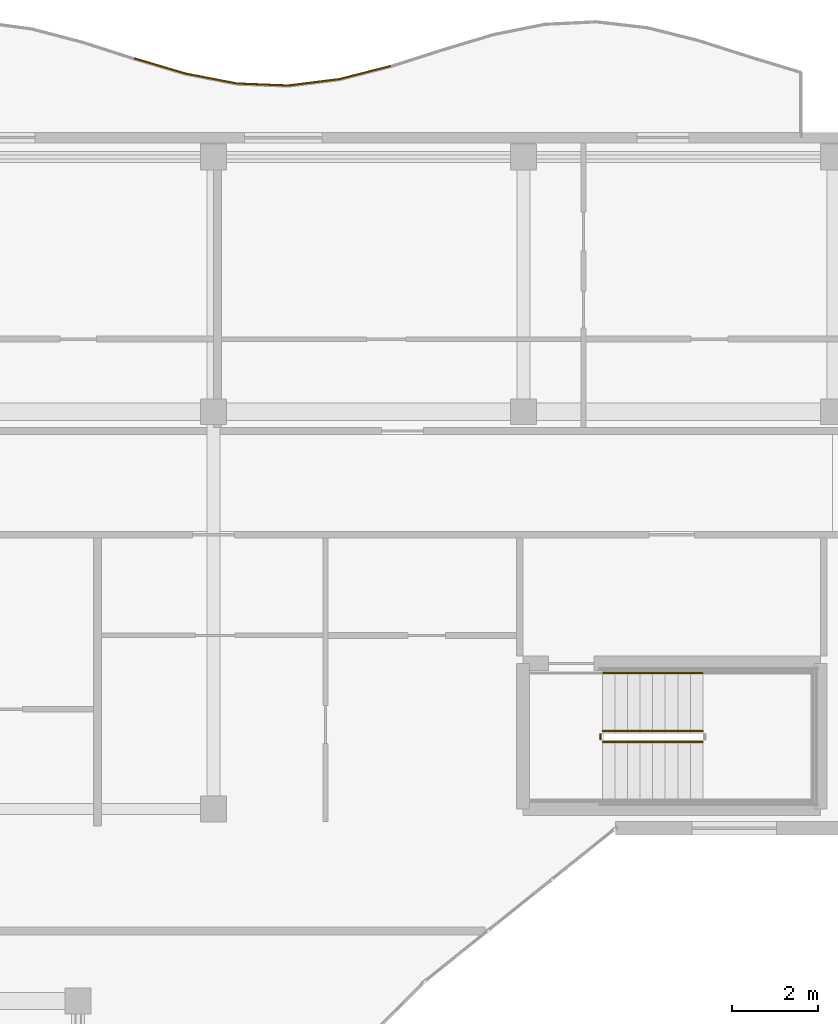
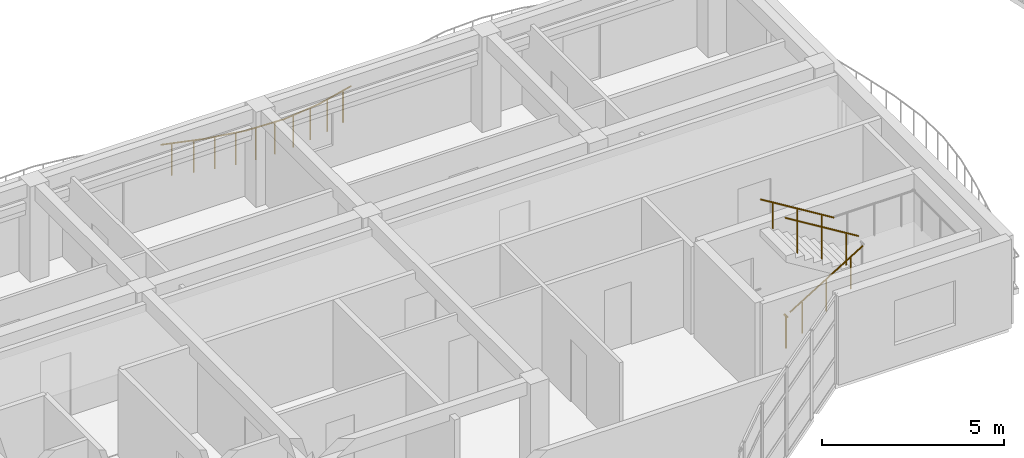
# One storey, part 64 of 72: 9 railings.
"""IFC4 building model written with IfcOpenShell, lengths in metres."""

from ifc_helpers import new_model, si_unit, direction, frame, origin, origin_2d, place, context, subcontext, project, spatial, circle, extrude, material, type_object, element, save


model = new_model("IFC4")

# Units and contexts
model_context = context("Model", 3, precision=1e-05, world=origin(), true_north=direction((0.0, 1.0)))
body_context = subcontext(model_context, "Body", "Model", "MODEL_VIEW")
ifc_project = project(units=[si_unit("LENGTHUNIT", "METRE"), si_unit("AREAUNIT", "SQUARE_METRE"), si_unit("VOLUMEUNIT", "CUBIC_METRE"), si_unit("PLANEANGLEUNIT", "RADIAN"), si_unit("MASSUNIT", "GRAM", prefix="KILO")], contexts=[model_context])

# Site, building, storey
site_placement = place(None, origin())
site = spatial("IfcSite", under=ifc_project, at=site_placement, CompositionType="ELEMENT")
building_placement = place(site_placement, origin())
building = spatial("IfcBuilding", under=site, at=building_placement, Name="Keldmere Railside Commons", CompositionType="ELEMENT")
storey_placement = place(building_placement, frame((0.0, 0.0, 16.9599609375)))
storey = spatial("IfcBuildingStorey", under=building, at=storey_placement, Name="L05", CompositionType="ELEMENT", Elevation=16.9599609375)

# Railings
ifc_material = material(Name="Steel F-24 (S235)", Category="steel")
railing_type_1 = type_object("IfcRailingType", Name="Balcony & Terrace Steel Balustrade 1100", PredefinedType="BALUSTRADE", material=ifc_material)
railing_1_placement = place(storey_placement, frame((120.8486328125, 117.8369140625, 0.0)))
element("IfcRailing", 1, at=railing_1_placement, inside=storey, type_object=railing_type_1, Name="GR-1 GRD-L05-2391", PredefinedType="BALUSTRADE", context=body_context, shape_type="SweptSolid", body=[
    extrude(circle(Radius=0.02392578125, at=origin_2d()), frame((0.0, 0.0, 1.076171875), z_axis=(0.958656939745, -0.284564354546, 0.0), x_axis=(0.284564354546, 0.958656939745, 0.0)), (0.0, 0.0, 1.0), 1.23974609375),
    extrude(circle(Radius=0.02099609375, at=origin_2d()), frame((0.297119140625, -0.088134765625, 0.0)), (0.0, 0.0, 1.0), 1.048095703125),
    extrude(circle(Radius=0.02099609375, at=origin_2d()), frame((0.891357421875, -0.2646484375, 0.0)), (0.0, 0.0, 1.0), 1.048095703125),
])
railing_2_placement = place(storey_placement, frame((122.037109375, 117.484130859375, 0.0)))
element("IfcRailing", 2, at=railing_2_placement, inside=storey, type_object=railing_type_1, Name="GR-1 GRD-L05-2392", PredefinedType="BALUSTRADE", context=body_context, shape_type="SweptSolid", body=[
    extrude(circle(Radius=0.02392578125, at=origin_2d()), frame((0.0, 0.0, 1.076171875), z_axis=(0.981787132262, -0.189984280729, 0.0), x_axis=(0.189984280729, 0.981787132262, 0.0)), (0.0, 0.0, 1.0), 1.21044921875),
    extrude(circle(Radius=0.02099609375, at=origin_2d()), frame((0.297119140625, -0.0576171875, 0.0)), (0.0, 0.0, 1.0), 1.048095703125),
    extrude(circle(Radius=0.02099609375, at=origin_2d()), frame((0.891357421875, -0.17236328125, 0.0)), (0.0, 0.0, 1.0), 1.048095703125),
])
railing_3_placement = place(storey_placement, frame((123.2255859375, 117.254150390625, 0.0)))
element("IfcRailing", 3, at=railing_3_placement, inside=storey, type_object=railing_type_1, Name="GR-1 GRD-L05-2393", PredefinedType="BALUSTRADE", context=body_context, shape_type="SweptSolid", body=[
    extrude(circle(Radius=0.02392578125, at=origin_2d()), frame((0.0, 0.0, 1.076171875), z_axis=(0.999215318047, -0.039607425833, 0.0), x_axis=(0.039607425833, 0.999215318047, 0.0)), (0.0, 0.0, 1.0), 1.189697265625),
    extrude(circle(Radius=0.02099609375, at=origin_2d()), frame((0.297119140625, -0.01171875, 0.0)), (0.0, 0.0, 1.0), 1.048095703125),
    extrude(circle(Radius=0.02099609375, at=origin_2d()), frame((0.8916015625, -0.035400390625, 0.0)), (0.0, 0.0, 1.0), 1.048095703125),
])
railing_4_placement = place(storey_placement, frame((124.414306640625, 117.20703125, 0.0)))
element("IfcRailing", 4, at=railing_4_placement, inside=storey, type_object=railing_type_1, Name="GR-1 GRD-L05-2394", PredefinedType="BALUSTRADE", context=body_context, shape_type="SweptSolid", body=[
    extrude(circle(Radius=0.02392578125, at=origin_2d()), frame((0.0, 0.0, 1.076171875), z_axis=(0.992315463889, 0.123733666101, 0.0), x_axis=(-0.123733666101, 0.992315463889, 0.0)), (0.0, 0.0, 1.0), 1.19775390625),
    extrude(circle(Radius=0.02099609375, at=origin_2d()), frame((0.297119140625, 0.037109375, 0.0)), (0.0, 0.0, 1.0), 1.048095703125),
    extrude(circle(Radius=0.02099609375, at=origin_2d()), frame((0.891357421875, 0.111083984375, 0.0)), (0.0, 0.0, 1.0), 1.048095703125),
])
railing_5_placement = place(storey_placement, frame((125.602783203125, 117.355224609375, 0.0)))
element("IfcRailing", 5, at=railing_5_placement, inside=storey, type_object=railing_type_1, Name="GR-1 GRD-L05-2395", PredefinedType="BALUSTRADE", context=body_context, shape_type="SweptSolid", body=[
    extrude(circle(Radius=0.02392578125, at=origin_2d()), frame((0.0, 0.0, 1.076171875), z_axis=(0.968685954095, 0.248289190945, 0.0), x_axis=(-0.248289190945, 0.968685954095, 0.0)), (0.0, 0.0, 1.0), 1.22705078125),
    extrude(circle(Radius=0.02099609375, at=origin_2d()), frame((0.297119140625, 0.076171875, 0.0)), (0.0, 0.0, 1.0), 1.048095703125),
    extrude(circle(Radius=0.02099609375, at=origin_2d()), frame((0.8916015625, 0.228515625, 0.0)), (0.0, 0.0, 1.0), 1.048095703125),
])
railing_type_2 = type_object("IfcRailingType", Name="Stair Well Steel Guardrail 1100", PredefinedType="BALUSTRADE", material=ifc_material)
railing_6_placement = place(storey_placement, frame((131.699951171875, 102.0, 0.177734375)))
element("IfcRailing", 6, at=railing_6_placement, inside=storey, type_object=railing_type_2, Name="L05 ST-B2 stair guard 1", PredefinedType="BALUSTRADE", context=body_context, shape_type="SweptSolid", body=[
    extrude(circle(Radius=0.02392578125, at=origin_2d()), frame((0.0, 0.0, 1.076171875), z_axis=(0.852538067394, 0.0, 0.522665135287), x_axis=(0.0, 1.0, 0.0)), (0.0, 0.0, 1.0), 2.721435546875),
    extrude(circle(Radius=0.02099609375, at=origin_2d()), frame((0.38671875, 0.0, 0.237060546875)), (0.0, 0.0, 1.0), 1.048095703125),
    extrude(circle(Radius=0.02099609375, at=origin_2d()), frame((1.16015625, 0.0, 0.711181640625)), (0.0, 0.0, 1.0), 1.048095703125),
    extrude(circle(Radius=0.02099609375, at=origin_2d()), frame((1.933349609375, 0.0, 1.185302734375)), (0.0, 0.0, 1.0), 1.048095703125),
])
railing_7_placement = place(storey_placement, frame((134.02001953125, 102.25, 1.77783203125)))
element("IfcRailing", 7, at=railing_7_placement, inside=storey, type_object=railing_type_2, Name="L05 ST-B2 stair guard 6", PredefinedType="BALUSTRADE", context=body_context, shape_type="SweptSolid", body=[
    extrude(circle(Radius=0.02392578125, at=origin_2d()), frame((0.0, 0.0, 1.076171875), z_axis=(-0.852578041948, 0.0, 0.522599925744), x_axis=(0.0, -1.0, 0.0)), (0.0, 0.0, 1.0), 2.72119140625),
    extrude(circle(Radius=0.02099609375, at=origin_2d()), frame((-0.38671875, 0.0, 0.237060546875)), (0.0, 0.0, 1.0), 1.048095703125),
    extrude(circle(Radius=0.02099609375, at=origin_2d()), frame((-1.16015625, 0.0, 0.7109375)), (0.0, 0.0, 1.0), 1.048095703125),
    extrude(circle(Radius=0.02099609375, at=origin_2d()), frame((-1.933349609375, 0.0, 1.18505859375)), (0.0, 0.0, 1.0), 1.048095703125),
])
railing_8_placement = place(storey_placement, frame((131.64990234375, 102.050048828125, 0.0)))
element("IfcRailing", 8, at=railing_8_placement, inside=storey, type_object=railing_type_2, Name="L05 ST-B2 stair guard 7", PredefinedType="BALUSTRADE", context=body_context, shape_type="SweptSolid", body=[
    extrude(circle(Radius=0.02392578125, at=origin_2d()), frame((0.0, 0.0, 1.076171875), z_axis=(0.0, 1.0, 0.0), x_axis=(-1.0, 0.0, 0.0)), (0.0, 0.0, 1.0), 0.14990234375),
    extrude(circle(Radius=0.02099609375, at=origin_2d()), frame((0.0, 0.074951171875, 0.0)), (0.0, 0.0, 1.0), 1.048095703125),
])
railing_type_3 = type_object("IfcRailingType", Name="Wall-Mounted Tubular Steel Handrail 900", PredefinedType="HANDRAIL", material=ifc_material)
railing_9_placement = place(storey_placement, frame((134.02001953125, 103.60009765625, 1.77783203125)))
element("IfcRailing", 9, at=railing_9_placement, inside=storey, type_object=railing_type_3, Name="L05 ST-B2 stair handrail 2", PredefinedType="HANDRAIL", context=body_context, shape_type="SweptSolid", body=[
    extrude(circle(Radius=0.02392578125, at=origin_2d()), frame((0.0, 0.0, 0.8759765625), z_axis=(-0.852578041948, 0.0, 0.522599925744), x_axis=(0.0, -1.0, 0.0)), (0.0, 0.0, 1.0), 2.72119140625),
    extrude(circle(Radius=0.02099609375, at=origin_2d()), frame((-0.38671875, 0.0, 0.237060546875)), (0.0, 0.0, 1.0), 0.847900390625),
    extrude(circle(Radius=0.02099609375, at=origin_2d()), frame((-1.16015625, 0.0, 0.7109375)), (0.0, 0.0, 1.0), 0.847900390625),
    extrude(circle(Radius=0.02099609375, at=origin_2d()), frame((-1.933349609375, 0.0, 1.18505859375)), (0.0, 0.0, 1.0), 0.847900390625),
])

save(model, "model.ifc")
